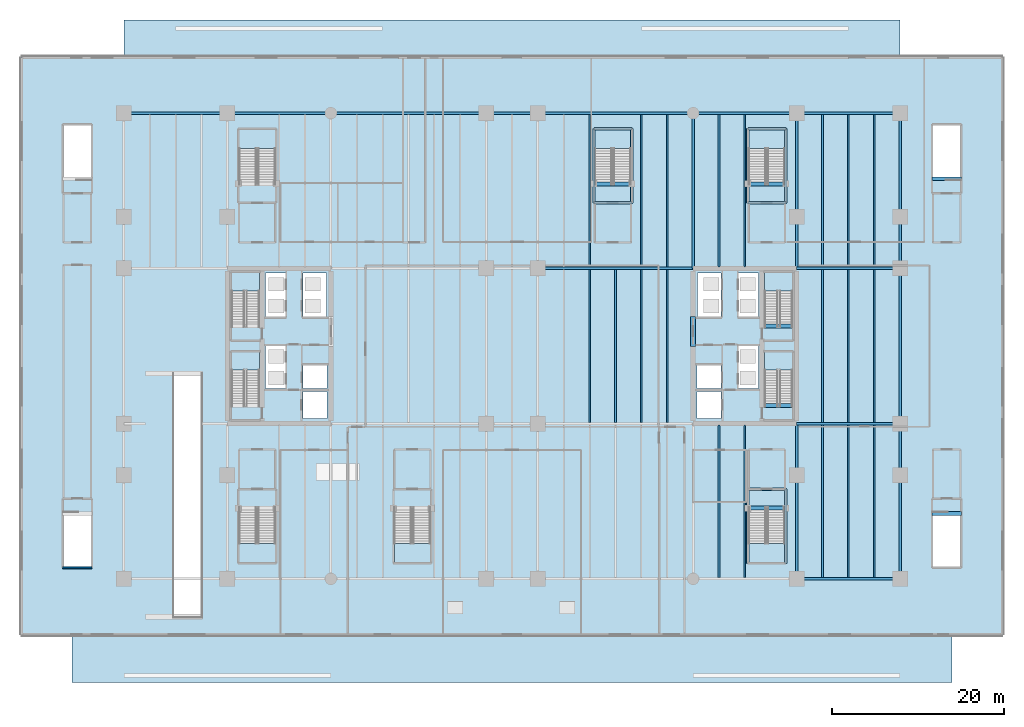
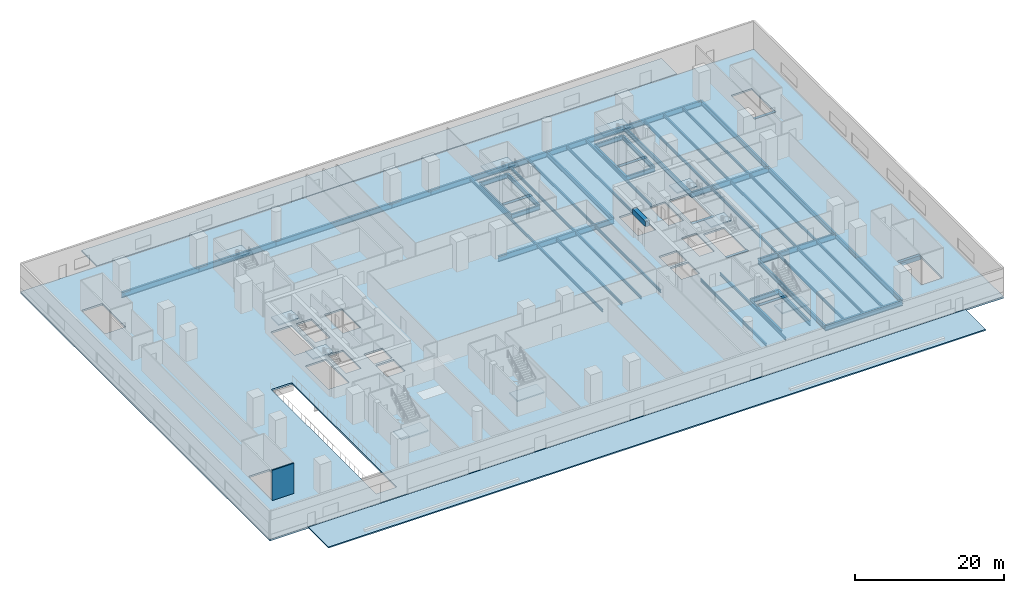
# One storey, part 2 of 25: 56 beams, 13 slabs, 1 wall, 10 elements without a shape of their own.
"""IFC4 building model written with IfcOpenShell, lengths in metres."""

from ifc_helpers import new_model, si_unit, direction, frame, frame_2d, origin, origin_2d, place, context, subcontext, project, spatial, polyline, rectangle, i_section, outline, extrude, material, layer, layer_set, material_profile, profile_set, type_object, element, aggregate, save


model = new_model("IFC4")

# Units and contexts
model_context = context("Model", 3, precision=1e-05, world=origin(), true_north=direction((0.0, 1.0)))
body_context = subcontext(model_context, "Body", "Model", "MODEL_VIEW")
ifc_project = project(units=[si_unit("LENGTHUNIT", "METRE"), si_unit("AREAUNIT", "SQUARE_METRE"), si_unit("VOLUMEUNIT", "CUBIC_METRE"), si_unit("PLANEANGLEUNIT", "RADIAN"), si_unit("MASSUNIT", "GRAM", prefix="KILO")], contexts=[model_context])

# Site, building, storey
site_placement = place(None, origin())
site = spatial("IfcSite", under=ifc_project, at=site_placement, CompositionType="ELEMENT")
building_placement = place(site_placement, origin())
building = spatial("IfcBuilding", under=site, at=building_placement, Name="Tanjung Sevakor Pilgrim Tower", CompositionType="ELEMENT")
storey_placement = place(building_placement, origin())
storey = spatial("IfcBuildingStorey", under=building, at=storey_placement, Name="L01", CompositionType="ELEMENT", Elevation=0.0)

# Beams
ifc_material_1 = material(Name="Steel S355J2", Category="steel")
ifc_material_profile_1 = material_profile(ifc_material_1, i_section(OverallWidth=0.26806640625, OverallDepth=0.769775390625, WebThickness=0.015625, FlangeThickness=0.025390625, FilletRadius=0.0166015625, at=origin_2d()))
ifc_profile_set_1 = profile_set([ifc_material_profile_1], Name="Steel S355J2")
beam_type_1 = type_object("IfcBeamType", Name="BM-B-G1-UB_762x267x197", PredefinedType="BEAM", material=ifc_profile_set_1)
for number, where, z_axis, x_axis, name in (
    (1, (78.0, 42.60009765625, -0.664794921875), (0.0, 1.0, 0.0), (-1.0, 0.0, 0.0), "L01 Podium Girder NS X78-3"),
    (2, (90.0, 6.60009765625, -0.664794921875), (0.0, 1.0, 0.0), (-1.0, 0.0, 0.0), "L01 Podium Girder NS X90-2"),
    (3, (90.0, 42.60009765625, -0.664794921875), (0.0, 1.0, 0.0), (-1.0, 0.0, 0.0), "L01 Podium Girder NS X90-3"),
    (4, (102.0, 6.60009765625, -0.664794921875), (0.0, 1.0, 0.0), (-1.0, 0.0, 0.0), "L01 Podium Girder NS X102-2"),
    (5, (102.0, 24.60009765625, -0.664794921875), (0.0, 1.0, 0.0), (-1.0, 0.0, 0.0), "L01 Podium Girder NS X102-3"),
    (6, (102.0, 42.60009765625, -0.664794921875), (0.0, 1.0, 0.0), (-1.0, 0.0, 0.0), "L01 Podium Girder NS X102-4"),
):
    element("IfcBeam", number, at=place(storey_placement, frame(where, z_axis=z_axis, x_axis=x_axis)), inside=storey, type_object=beam_type_1, Name=name, PredefinedType="BEAM", context=body_context, shape_type="SweptSolid", body=[
        extrude(i_section(OverallWidth=0.26806640625, OverallDepth=0.769775390625, WebThickness=0.015625, FlangeThickness=0.025390625, FilletRadius=0.0166015625, at=origin_2d()), origin(), (0.0, 0.0, 1.0), 18.0),
    ])
ifc_material_2 = material(Name="Steel S355J2", Category="steel")
ifc_material_profile_2 = material_profile(ifc_material_2, i_section(OverallWidth=0.19287109375, OverallDepth=0.46728515625, WebThickness=0.011474609375, FlangeThickness=0.01953125, FilletRadius=0.01025390625, at=origin_2d()))
ifc_profile_set_2 = profile_set([ifc_material_profile_2], Name="Steel S355J2")
beam_type_2 = type_object("IfcBeamType", Name="BM-B-J1-UB_457x191x98", PredefinedType="JOIST", material=ifc_profile_set_2)
for number, where, z_axis, x_axis, name in (
    (7, (66.0, 24.752685546875, -0.513671875), (0.0, 1.0, 0.0), (-1.0, 0.0, 0.0), "L01 Secondary Joist 029"),
    (8, (66.0, 42.752685546875, -0.513671875), (0.0, 1.0, 0.0), (-1.0, 0.0, 0.0), "L01 Secondary Joist 030"),
    (9, (69.0, 24.752685546875, -0.513671875), (0.0, 1.0, 0.0), (-1.0, 0.0, 0.0), "L01 Secondary Joist 032"),
    (10, (72.0, 24.752685546875, -0.513671875), (0.0, 1.0, 0.0), (-1.0, 0.0, 0.0), "L01 Secondary Joist 034"),
    (11, (72.0, 42.752685546875, -0.513671875), (0.0, 1.0, 0.0), (-1.0, 0.0, 0.0), "L01 Secondary Joist 035"),
    (12, (75.0, 24.752685546875, -0.513671875), (0.0, 1.0, 0.0), (-1.0, 0.0, 0.0), "L01 Secondary Joist 037"),
    (13, (75.0, 42.752685546875, -0.513671875), (0.0, 1.0, 0.0), (-1.0, 0.0, 0.0), "L01 Secondary Joist 038"),
    (14, (81.0, 6.752685546875, -0.513671875), (0.0, 1.0, 0.0), (-1.0, 0.0, 0.0), "L01 Secondary Joist 039"),
    (15, (81.0, 42.752685546875, -0.513671875), (0.0, 1.0, 0.0), (-1.0, 0.0, 0.0), "L01 Secondary Joist 040"),
    (16, (84.0, 6.752685546875, -0.513671875), (0.0, 1.0, 0.0), (-1.0, 0.0, 0.0), "L01 Secondary Joist 041"),
    (17, (84.0, 42.752685546875, -0.513671875), (0.0, 1.0, 0.0), (-1.0, 0.0, 0.0), "L01 Secondary Joist 042"),
    (18, (93.0, 6.752685546875, -0.513671875), (0.0, 1.0, 0.0), (-1.0, 0.0, 0.0), "L01 Secondary Joist 043"),
    (19, (93.0, 24.752685546875, -0.513671875), (0.0, 1.0, 0.0), (-1.0, 0.0, 0.0), "L01 Secondary Joist 044"),
    (20, (93.0, 42.752685546875, -0.513671875), (0.0, 1.0, 0.0), (-1.0, 0.0, 0.0), "L01 Secondary Joist 045"),
    (21, (96.0, 6.752685546875, -0.513671875), (0.0, 1.0, 0.0), (-1.0, 0.0, 0.0), "L01 Secondary Joist 046"),
    (22, (96.0, 24.752685546875, -0.513671875), (0.0, 1.0, 0.0), (-1.0, 0.0, 0.0), "L01 Secondary Joist 047"),
    (23, (96.0, 42.752685546875, -0.513671875), (0.0, 1.0, 0.0), (-1.0, 0.0, 0.0), "L01 Secondary Joist 048"),
    (24, (99.0, 6.752685546875, -0.513671875), (0.0, 1.0, 0.0), (-1.0, 0.0, 0.0), "L01 Secondary Joist 049"),
    (25, (99.0, 24.752685546875, -0.513671875), (0.0, 1.0, 0.0), (-1.0, 0.0, 0.0), "L01 Secondary Joist 050"),
    (26, (99.0, 42.752685546875, -0.513671875), (0.0, 1.0, 0.0), (-1.0, 0.0, 0.0), "L01 Secondary Joist 051"),
):
    element("IfcBeam", number, at=place(storey_placement, frame(where, z_axis=z_axis, x_axis=x_axis)), inside=storey, type_object=beam_type_2, Name=name, PredefinedType="JOIST", context=body_context, shape_type="SweptSolid", body=[
        extrude(i_section(OverallWidth=0.19287109375, OverallDepth=0.46728515625, WebThickness=0.011474609375, FlangeThickness=0.01953125, FilletRadius=0.01025390625, at=origin_2d()), origin(), (0.0, 0.0, 1.0), 17.694580078125),
    ])
ifc_material_3 = material(Name="Concrete C60/75", Category="concrete")
ifc_material_profile_3 = material_profile(ifc_material_3, rectangle(XDim=0.60009765625, YDim=0.89990234375, at=origin_2d()))
ifc_profile_set_3 = profile_set([ifc_material_profile_3], Name="Concrete C60/75")
beam_type_3 = type_object("IfcBeamType", Name="BM-B-LN1-RC-BM_600x900", PredefinedType="LINTEL", material=ifc_profile_set_3)
beam_1_placement = place(storey_placement, frame((78.0, 33.550048828125, 4.219970703125), z_axis=(0.0, 1.0, 0.0), x_axis=(-1.0, 0.0, 0.0)))
element("IfcBeam", 27, at=beam_1_placement, inside=storey, type_object=beam_type_3, Name="L01 E Core Coupling Lintel", PredefinedType="LINTEL", context=body_context, shape_type="SweptSolid", body=[
    extrude(rectangle(XDim=0.60009765625, YDim=0.89990234375, at=origin_2d()), origin(), (0.0, 0.0, 1.0), 3.5),
])
ifc_material_4 = material(Name="Concrete C60/75", Category="concrete")
ifc_material_profile_4 = material_profile(ifc_material_4, rectangle(XDim=0.449951171875, YDim=0.699951171875, at=origin_2d()))
ifc_profile_set_4 = profile_set([ifc_material_profile_4], Name="Concrete C60/75")
beam_type_4 = type_object("IfcBeamType", Name="BM-B-LN3-RC-BM_450x700", PredefinedType="LINTEL", material=ifc_profile_set_4)
for number, where, z_axis, x_axis, name in (
    (28, (86.199951171875, 26.699951171875, -0.35009765625), (1.0, 0.0, 0.0), (0.0, 1.0, 0.0), "L01 TS-E1 Stair Threshold Beam"),
    (29, (86.199951171875, 35.89990234375, -0.35009765625), (1.0, 0.0, 0.0), (0.0, 1.0, 0.0), "L01 TS-E2 Stair Threshold Beam"),
):
    element("IfcBeam", number, at=place(storey_placement, frame(where, z_axis=z_axis, x_axis=x_axis)), inside=storey, type_object=beam_type_4, Name=name, PredefinedType="LINTEL", context=body_context, shape_type="SweptSolid", body=[
        extrude(rectangle(XDim=0.449951171875, YDim=0.699951171875, at=origin_2d()), origin(), (0.0, 0.0, 1.0), 3.400146484375),
    ])
for number, where, z_axis, x_axis, name in (
    (30, (66.5, 52.39990234375, -0.35009765625), (1.0, 0.0, 0.0), (0.0, 1.0, 0.0), "L01 PS-4 Stair Threshold Beam"),
    (31, (84.35009765625, 14.800048828125, -0.35009765625), (1.0, 0.0, 0.0), (0.0, 1.0, 0.0), "L01 PS-5 Stair Threshold Beam"),
    (32, (84.35009765625, 52.39990234375, -0.35009765625), (1.0, 0.0, 0.0), (0.0, 1.0, 0.0), "L01 PS-6 Stair Threshold Beam"),
):
    element("IfcBeam", number, at=place(storey_placement, frame(where, z_axis=z_axis, x_axis=x_axis)), inside=storey, type_object=beam_type_4, Name=name, PredefinedType="LINTEL", context=body_context, shape_type="SweptSolid", body=[
        extrude(rectangle(XDim=0.449951171875, YDim=0.699951171875, at=origin_2d()), origin(), (0.0, 0.0, 1.0), 4.39990234375),
    ])
for number, where, z_axis, x_axis, name in (
    (33, (105.699951171875, 14.199951171875, -0.35009765625), (1.0, 0.0, 0.0), (0.0, 1.0, 0.0), "L01 BS-3 Stair Threshold Beam"),
    (34, (105.699951171875, 53.0, -0.35009765625), (1.0, 0.0, 0.0), (0.0, 1.0, 0.0), "L01 BS-4 Stair Threshold Beam"),
):
    element("IfcBeam", number, at=place(storey_placement, frame(where, z_axis=z_axis, x_axis=x_axis)), inside=storey, type_object=beam_type_4, Name=name, PredefinedType="LINTEL", context=body_context, shape_type="SweptSolid", body=[
        extrude(rectangle(XDim=0.449951171875, YDim=0.699951171875, at=origin_2d()), origin(), (0.0, 0.0, 1.0), 3.400146484375),
    ])
ifc_material_5 = material(Name="Steel S355J2", Category="steel")
ifc_material_profile_5 = material_profile(ifc_material_5, i_section(OverallWidth=0.305419921875, OverallDepth=0.91845703125, WebThickness=0.017333984375, FlangeThickness=0.02783203125, FilletRadius=0.01904296875, at=origin_2d()))
ifc_profile_set_5 = profile_set([ifc_material_profile_5], Name="Steel S355J2")
beam_type_5 = type_object("IfcBeamType", Name="BM-B-POD2-UB_914x305x253", PredefinedType="BEAM", material=ifc_profile_set_5)
for number, where, z_axis, x_axis, name in (
    (35, (90.0, 6.60009765625, -0.7392578125), (1.0, 0.0, 0.0), (0.0, 1.0, 0.0), "L01 Podium Girder EW Y6.6-8"),
    (36, (90.0, 24.60009765625, -0.7392578125), (1.0, 0.0, 0.0), (0.0, 1.0, 0.0), "L01 Podium Girder EW Y24.6-7"),
):
    element("IfcBeam", number, at=place(storey_placement, frame(where, z_axis=z_axis, x_axis=x_axis)), inside=storey, type_object=beam_type_5, Name=name, PredefinedType="BEAM", context=body_context, shape_type="SweptSolid", body=[
        extrude(i_section(OverallWidth=0.305419921875, OverallDepth=0.91845703125, WebThickness=0.017333984375, FlangeThickness=0.02783203125, FilletRadius=0.01904296875, at=origin_2d()), origin(), (0.0, 0.0, 1.0), 12.0),
    ])
beam_2_placement = place(storey_placement, frame((60.0, 42.60009765625, -0.7392578125), z_axis=(1.0, 0.0, 0.0), x_axis=(0.0, 1.0, 0.0)))
element("IfcBeam", 37, at=beam_2_placement, inside=storey, type_object=beam_type_5, Name="L01 Podium Girder EW Y42.6-5", PredefinedType="BEAM", context=body_context, shape_type="SweptSolid", body=[
    extrude(i_section(OverallWidth=0.305419921875, OverallDepth=0.91845703125, WebThickness=0.017333984375, FlangeThickness=0.02783203125, FilletRadius=0.01904296875, at=origin_2d()), origin(), (0.0, 0.0, 1.0), 18.0),
])
for number, where, z_axis, x_axis, name in (
    (38, (90.0, 42.60009765625, -0.7392578125), (1.0, 0.0, 0.0), (0.0, 1.0, 0.0), "L01 Podium Girder EW Y42.6-6"),
    (39, (12.0, 60.60009765625, -0.7392578125), (1.0, 0.0, 0.0), (0.0, 1.0, 0.0), "L01 Podium Girder EW Y60.6-2"),
    (40, (24.0, 60.60009765625, -0.7392578125), (1.0, 0.0, 0.0), (0.0, 1.0, 0.0), "L01 Podium Girder EW Y60.6-3"),
):
    element("IfcBeam", number, at=place(storey_placement, frame(where, z_axis=z_axis, x_axis=x_axis)), inside=storey, type_object=beam_type_5, Name=name, PredefinedType="BEAM", context=body_context, shape_type="SweptSolid", body=[
        extrude(i_section(OverallWidth=0.305419921875, OverallDepth=0.91845703125, WebThickness=0.017333984375, FlangeThickness=0.02783203125, FilletRadius=0.01904296875, at=origin_2d()), origin(), (0.0, 0.0, 1.0), 12.0),
    ])
beam_3_placement = place(storey_placement, frame((36.0, 60.60009765625, -0.7392578125), z_axis=(1.0, 0.0, 0.0), x_axis=(0.0, 1.0, 0.0)))
element("IfcBeam", 41, at=beam_3_placement, inside=storey, type_object=beam_type_5, Name="L01 Podium Girder EW Y60.6-4", PredefinedType="BEAM", context=body_context, shape_type="SweptSolid", body=[
    extrude(i_section(OverallWidth=0.305419921875, OverallDepth=0.91845703125, WebThickness=0.017333984375, FlangeThickness=0.02783203125, FilletRadius=0.01904296875, at=origin_2d()), origin(), (0.0, 0.0, 1.0), 18.0),
])
beam_4_placement = place(storey_placement, frame((54.0, 60.60009765625, -0.7392578125), z_axis=(1.0, 0.0, 0.0), x_axis=(0.0, 1.0, 0.0)))
element("IfcBeam", 42, at=beam_4_placement, inside=storey, type_object=beam_type_5, Name="L01 Podium Girder EW Y60.6-5", PredefinedType="BEAM", context=body_context, shape_type="SweptSolid", body=[
    extrude(i_section(OverallWidth=0.305419921875, OverallDepth=0.91845703125, WebThickness=0.017333984375, FlangeThickness=0.02783203125, FilletRadius=0.01904296875, at=origin_2d()), origin(), (0.0, 0.0, 1.0), 6.0),
])
beam_5_placement = place(storey_placement, frame((60.0, 60.60009765625, -0.7392578125), z_axis=(1.0, 0.0, 0.0), x_axis=(0.0, 1.0, 0.0)))
element("IfcBeam", 43, at=beam_5_placement, inside=storey, type_object=beam_type_5, Name="L01 Podium Girder EW Y60.6-6", PredefinedType="BEAM", context=body_context, shape_type="SweptSolid", body=[
    extrude(i_section(OverallWidth=0.305419921875, OverallDepth=0.91845703125, WebThickness=0.017333984375, FlangeThickness=0.02783203125, FilletRadius=0.01904296875, at=origin_2d()), origin(), (0.0, 0.0, 1.0), 18.0),
])
for number, where, z_axis, x_axis, name in (
    (44, (78.0, 60.60009765625, -0.7392578125), (1.0, 0.0, 0.0), (0.0, 1.0, 0.0), "L01 Podium Girder EW Y60.6-7"),
    (45, (90.0, 60.60009765625, -0.7392578125), (1.0, 0.0, 0.0), (0.0, 1.0, 0.0), "L01 Podium Girder EW Y60.6-8"),
):
    element("IfcBeam", number, at=place(storey_placement, frame(where, z_axis=z_axis, x_axis=x_axis)), inside=storey, type_object=beam_type_5, Name=name, PredefinedType="BEAM", context=body_context, shape_type="SweptSolid", body=[
        extrude(i_section(OverallWidth=0.305419921875, OverallDepth=0.91845703125, WebThickness=0.017333984375, FlangeThickness=0.02783203125, FilletRadius=0.01904296875, at=origin_2d()), origin(), (0.0, 0.0, 1.0), 12.0),
    ])
ifc_material_6 = material(Name="Steel S355J2", Category="steel")
ifc_material_profile_6 = material_profile(ifc_material_6, i_section(OverallWidth=0.2666015625, OverallDepth=0.76220703125, WebThickness=0.014404296875, FlangeThickness=0.021484375, FilletRadius=0.0166015625, at=origin_2d()))
ifc_profile_set_6 = profile_set([ifc_material_profile_6], Name="Steel S355J2")
beam_type_6 = type_object("IfcBeamType", Name="BM-B-POD4-UB_762x267x173", PredefinedType="BEAM", material=ifc_profile_set_6)
beam_6_placement = place(storey_placement, frame((66.5, 50.199951171875, -0.6611328125), z_axis=(1.0, 0.0, 0.0), x_axis=(0.0, 1.0, 0.0)))
element("IfcBeam", 46, at=beam_6_placement, inside=storey, type_object=beam_type_6, Name="L01 PS-4 Shaft Base Girder 1", PredefinedType="BEAM", context=body_context, shape_type="SweptSolid", body=[
    extrude(i_section(OverallWidth=0.2666015625, OverallDepth=0.76220703125, WebThickness=0.014404296875, FlangeThickness=0.021484375, FilletRadius=0.0166015625, at=origin_2d()), origin(), (0.0, 0.0, 1.0), 4.39990234375),
])
beam_7_placement = place(storey_placement, frame((70.89990234375, 50.199951171875, -0.6611328125), z_axis=(0.0, 1.0, 0.0), x_axis=(-1.0, 0.0, 0.0)))
element("IfcBeam", 47, at=beam_7_placement, inside=storey, type_object=beam_type_6, Name="L01 PS-4 Shaft Base Girder 2", PredefinedType="BEAM", context=body_context, shape_type="SweptSolid", body=[
    extrude(i_section(OverallWidth=0.2666015625, OverallDepth=0.76220703125, WebThickness=0.014404296875, FlangeThickness=0.021484375, FilletRadius=0.0166015625, at=origin_2d()), origin(), (0.0, 0.0, 1.0), 8.60009765625),
])
beam_8_placement = place(storey_placement, frame((70.89990234375, 58.800048828125, -0.6611328125), z_axis=(-1.0, 0.0, 0.0), x_axis=(0.0, -1.0, 0.0)))
element("IfcBeam", 48, at=beam_8_placement, inside=storey, type_object=beam_type_6, Name="L01 PS-4 Shaft Base Girder 3", PredefinedType="BEAM", context=body_context, shape_type="SweptSolid", body=[
    extrude(i_section(OverallWidth=0.2666015625, OverallDepth=0.76220703125, WebThickness=0.014404296875, FlangeThickness=0.021484375, FilletRadius=0.0166015625, at=origin_2d()), origin(), (0.0, 0.0, 1.0), 4.39990234375),
])
for number, where, z_axis, x_axis, name in (
    (49, (66.5, 58.800048828125, -0.6611328125), (0.0, -1.0, 0.0), (1.0, 0.0, 0.0), "L01 PS-4 Shaft Base Girder 4"),
    (50, (88.75, 8.39990234375, -0.6611328125), (0.0, 1.0, 0.0), (-1.0, 0.0, 0.0), "L01 PS-5 Shaft Base Girder 2"),
):
    element("IfcBeam", number, at=place(storey_placement, frame(where, z_axis=z_axis, x_axis=x_axis)), inside=storey, type_object=beam_type_6, Name=name, PredefinedType="BEAM", context=body_context, shape_type="SweptSolid", body=[
        extrude(i_section(OverallWidth=0.2666015625, OverallDepth=0.76220703125, WebThickness=0.014404296875, FlangeThickness=0.021484375, FilletRadius=0.0166015625, at=origin_2d()), origin(), (0.0, 0.0, 1.0), 8.60009765625),
    ])
beam_9_placement = place(storey_placement, frame((88.75, 17.0, -0.6611328125), z_axis=(-1.0, 0.0, 0.0), x_axis=(0.0, -1.0, 0.0)))
element("IfcBeam", 51, at=beam_9_placement, inside=storey, type_object=beam_type_6, Name="L01 PS-5 Shaft Base Girder 3", PredefinedType="BEAM", context=body_context, shape_type="SweptSolid", body=[
    extrude(i_section(OverallWidth=0.2666015625, OverallDepth=0.76220703125, WebThickness=0.014404296875, FlangeThickness=0.021484375, FilletRadius=0.0166015625, at=origin_2d()), origin(), (0.0, 0.0, 1.0), 4.39990234375),
])
beam_10_placement = place(storey_placement, frame((84.35009765625, 17.0, -0.6611328125), z_axis=(0.0, -1.0, 0.0), x_axis=(1.0, 0.0, 0.0)))
element("IfcBeam", 52, at=beam_10_placement, inside=storey, type_object=beam_type_6, Name="L01 PS-5 Shaft Base Girder 4", PredefinedType="BEAM", context=body_context, shape_type="SweptSolid", body=[
    extrude(i_section(OverallWidth=0.2666015625, OverallDepth=0.76220703125, WebThickness=0.014404296875, FlangeThickness=0.021484375, FilletRadius=0.0166015625, at=origin_2d()), origin(), (0.0, 0.0, 1.0), 8.60009765625),
])
beam_11_placement = place(storey_placement, frame((84.35009765625, 50.199951171875, -0.6611328125), z_axis=(1.0, 0.0, 0.0), x_axis=(0.0, 1.0, 0.0)))
element("IfcBeam", 53, at=beam_11_placement, inside=storey, type_object=beam_type_6, Name="L01 PS-6 Shaft Base Girder 1", PredefinedType="BEAM", context=body_context, shape_type="SweptSolid", body=[
    extrude(i_section(OverallWidth=0.2666015625, OverallDepth=0.76220703125, WebThickness=0.014404296875, FlangeThickness=0.021484375, FilletRadius=0.0166015625, at=origin_2d()), origin(), (0.0, 0.0, 1.0), 4.39990234375),
])
beam_12_placement = place(storey_placement, frame((88.75, 50.199951171875, -0.6611328125), z_axis=(0.0, 1.0, 0.0), x_axis=(-1.0, 0.0, 0.0)))
element("IfcBeam", 54, at=beam_12_placement, inside=storey, type_object=beam_type_6, Name="L01 PS-6 Shaft Base Girder 2", PredefinedType="BEAM", context=body_context, shape_type="SweptSolid", body=[
    extrude(i_section(OverallWidth=0.2666015625, OverallDepth=0.76220703125, WebThickness=0.014404296875, FlangeThickness=0.021484375, FilletRadius=0.0166015625, at=origin_2d()), origin(), (0.0, 0.0, 1.0), 8.60009765625),
])
beam_13_placement = place(storey_placement, frame((88.75, 58.800048828125, -0.6611328125), z_axis=(-1.0, 0.0, 0.0), x_axis=(0.0, -1.0, 0.0)))
element("IfcBeam", 55, at=beam_13_placement, inside=storey, type_object=beam_type_6, Name="L01 PS-6 Shaft Base Girder 3", PredefinedType="BEAM", context=body_context, shape_type="SweptSolid", body=[
    extrude(i_section(OverallWidth=0.2666015625, OverallDepth=0.76220703125, WebThickness=0.014404296875, FlangeThickness=0.021484375, FilletRadius=0.0166015625, at=origin_2d()), origin(), (0.0, 0.0, 1.0), 4.39990234375),
])
beam_14_placement = place(storey_placement, frame((84.35009765625, 58.800048828125, -0.6611328125), z_axis=(0.0, -1.0, 0.0), x_axis=(1.0, 0.0, 0.0)))
element("IfcBeam", 56, at=beam_14_placement, inside=storey, type_object=beam_type_6, Name="L01 PS-6 Shaft Base Girder 4", PredefinedType="BEAM", context=body_context, shape_type="SweptSolid", body=[
    extrude(i_section(OverallWidth=0.2666015625, OverallDepth=0.76220703125, WebThickness=0.014404296875, FlangeThickness=0.021484375, FilletRadius=0.0166015625, at=origin_2d()), origin(), (0.0, 0.0, 1.0), 8.60009765625),
])

# Stair, slab
ifc_material_7 = material(Name="Concrete C40/50", Category="concrete")
stair_type_1 = type_object("IfcStairType", Name="STAIR-ST-CR150", PredefinedType="HALF_TURN_STAIR", material=ifc_material_7)
stair_1_placement = place(storey_placement, origin())
stair_1 = element("IfcStair", 57, at=stair_1_placement, inside=storey, type_object=stair_type_1, Name="L01 West Core Exit Stair 1", PredefinedType="HALF_TURN_STAIR")
ifc_material_8 = material(Name="Concrete C40/50", Category="concrete")
ifc_layer_1 = layer(ifc_material_8, 0.199951171875)
ifc_layer_set_1 = layer_set([ifc_layer_1], Name="SL-LAND-200")
slab_type_1 = type_object("IfcSlabType", Name="SL-LAND-200", PredefinedType="LANDING", material=ifc_layer_set_1)
slab_1_placement = place(storey_placement, frame((0.0, 0.0, 2.27490234375)))
slab_1 = element("IfcSlab", 58, at=slab_1_placement, type_object=slab_type_1, Name="TS-W1 landing 1", PredefinedType="LANDING", context=body_context, shape_type="SweptSolid", body=[
    extrude(outline(polyline([(27.699951171875, 30.800048828125), (27.699951171875, 32.89990234375), (24.5, 32.89990234375), (24.5, 30.800048828125), (27.699951171875, 30.800048828125)])), origin(), (0.0, 0.0, 1.0), 0.2001953125),
])
aggregate(stair_1, [slab_1])

stair_2_placement = place(storey_placement, origin())
stair_2 = element("IfcStair", 59, at=stair_2_placement, inside=storey, type_object=stair_type_1, Name="L01 West Core Exit Stair 2", PredefinedType="HALF_TURN_STAIR")
slab_2_placement = place(storey_placement, frame((0.0, 0.0, 2.27490234375)))
slab_2 = element("IfcSlab", 60, at=slab_2_placement, type_object=slab_type_1, Name="TS-W2 landing 1", PredefinedType="LANDING", context=body_context, shape_type="SweptSolid", body=[
    extrude(outline(polyline([(27.699951171875, 40.0), (27.699951171875, 42.10009765625), (24.5, 42.10009765625), (24.5, 40.0), (27.699951171875, 40.0)])), origin(), (0.0, 0.0, 1.0), 0.2001953125),
])
aggregate(stair_2, [slab_2])

stair_3_placement = place(storey_placement, origin())
stair_3 = element("IfcStair", 61, at=stair_3_placement, inside=storey, type_object=stair_type_1, Name="L01 East Core Exit Stair 1", PredefinedType="HALF_TURN_STAIR")
slab_3_placement = place(storey_placement, frame((0.0, 0.0, 2.27490234375)))
slab_3 = element("IfcSlab", 62, at=slab_3_placement, type_object=slab_type_1, Name="TS-E1 landing 1", PredefinedType="LANDING", context=body_context, shape_type="SweptSolid", body=[
    extrude(outline(polyline([(89.5, 30.800048828125), (89.5, 32.89990234375), (86.300048828125, 32.89990234375), (86.300048828125, 30.800048828125), (89.5, 30.800048828125)])), origin(), (0.0, 0.0, 1.0), 0.2001953125),
])
aggregate(stair_3, [slab_3])

stair_4_placement = place(storey_placement, origin())
stair_4 = element("IfcStair", 63, at=stair_4_placement, inside=storey, type_object=stair_type_1, Name="L01 East Core Exit Stair 2", PredefinedType="HALF_TURN_STAIR")
slab_4_placement = place(storey_placement, frame((0.0, 0.0, 2.27490234375)))
slab_4 = element("IfcSlab", 64, at=slab_4_placement, type_object=slab_type_1, Name="TS-E2 landing 1", PredefinedType="LANDING", context=body_context, shape_type="SweptSolid", body=[
    extrude(outline(polyline([(89.5, 40.0), (89.5, 42.10009765625), (86.300048828125, 42.10009765625), (86.300048828125, 40.0), (89.5, 40.0)])), origin(), (0.0, 0.0, 1.0), 0.2001953125),
])
aggregate(stair_4, [slab_4])

ifc_material_9 = material(Name="Concrete C40/50", Category="concrete")
stair_type_2 = type_object("IfcStairType", Name="STAIR-ST-PD200", PredefinedType="HALF_TURN_STAIR", material=ifc_material_9)
stair_5_placement = place(storey_placement, origin())
stair_5 = element("IfcStair", 65, at=stair_5_placement, inside=storey, type_object=stair_type_2, Name="L01 Podium South-West Assembly Stair", PredefinedType="HALF_TURN_STAIR")
slab_5_placement = place(storey_placement, frame((0.0, 0.0, 2.27490234375)))
slab_5 = element("IfcSlab", 66, at=slab_5_placement, type_object=slab_type_1, Name="PS-1 landing 1", PredefinedType="LANDING", context=body_context, shape_type="SweptSolid", body=[
    extrude(outline(polyline([(25.35009765625, 10.699951171875), (25.35009765625, 8.5), (29.550048828125, 8.5), (29.550048828125, 10.699951171875), (25.35009765625, 10.699951171875)])), origin(), (0.0, 0.0, 1.0), 0.2001953125),
])
aggregate(stair_5, [slab_5])

stair_6_placement = place(storey_placement, origin())
stair_6 = element("IfcStair", 67, at=stair_6_placement, inside=storey, type_object=stair_type_2, Name="L01 Podium North-West Assembly Stair", PredefinedType="HALF_TURN_STAIR")
slab_6_placement = place(storey_placement, frame((0.0, 0.0, 2.27490234375)))
slab_6 = element("IfcSlab", 68, at=slab_6_placement, type_object=slab_type_1, Name="PS-2 landing 1", PredefinedType="LANDING", context=body_context, shape_type="SweptSolid", body=[
    extrude(outline(polyline([(29.550048828125, 56.5), (29.550048828125, 58.699951171875), (25.35009765625, 58.699951171875), (25.35009765625, 56.5), (29.550048828125, 56.5)])), origin(), (0.0, 0.0, 1.0), 0.2001953125),
])
aggregate(stair_6, [slab_6])

stair_7_placement = place(storey_placement, origin())
stair_7 = element("IfcStair", 69, at=stair_7_placement, inside=storey, type_object=stair_type_2, Name="L01 Podium South-Central Assembly Stair", PredefinedType="HALF_TURN_STAIR")
slab_7_placement = place(storey_placement, frame((0.0, 0.0, 2.27490234375)))
slab_7 = element("IfcSlab", 70, at=slab_7_placement, type_object=slab_type_1, Name="PS-3 landing 1", PredefinedType="LANDING", context=body_context, shape_type="SweptSolid", body=[
    extrude(outline(polyline([(43.35009765625, 10.699951171875), (43.35009765625, 8.5), (47.550048828125, 8.5), (47.550048828125, 10.699951171875), (43.35009765625, 10.699951171875)])), origin(), (0.0, 0.0, 1.0), 0.2001953125),
])
aggregate(stair_7, [slab_7])

stair_8_placement = place(storey_placement, origin())
stair_8 = element("IfcStair", 71, at=stair_8_placement, inside=storey, type_object=stair_type_2, Name="L01 Podium North-Central Assembly Stair", PredefinedType="HALF_TURN_STAIR")
slab_8_placement = place(storey_placement, frame((0.0, 0.0, 2.27490234375)))
slab_8 = element("IfcSlab", 72, at=slab_8_placement, type_object=slab_type_1, Name="PS-4 landing 1", PredefinedType="LANDING", context=body_context, shape_type="SweptSolid", body=[
    extrude(outline(polyline([(70.800048828125, 56.5), (70.800048828125, 58.699951171875), (66.60009765625, 58.699951171875), (66.60009765625, 56.5), (70.800048828125, 56.5)])), origin(), (0.0, 0.0, 1.0), 0.2001953125),
])
aggregate(stair_8, [slab_8])

stair_9_placement = place(storey_placement, origin())
stair_9 = element("IfcStair", 73, at=stair_9_placement, inside=storey, type_object=stair_type_2, Name="L01 Podium South-East Assembly Stair", PredefinedType="HALF_TURN_STAIR")
slab_9_placement = place(storey_placement, frame((0.0, 0.0, 2.27490234375)))
slab_9 = element("IfcSlab", 74, at=slab_9_placement, type_object=slab_type_1, Name="PS-5 landing 1", PredefinedType="LANDING", context=body_context, shape_type="SweptSolid", body=[
    extrude(outline(polyline([(84.449951171875, 10.699951171875), (84.449951171875, 8.5), (88.64990234375, 8.5), (88.64990234375, 10.699951171875), (84.449951171875, 10.699951171875)])), origin(), (0.0, 0.0, 1.0), 0.2001953125),
])
aggregate(stair_9, [slab_9])

stair_10_placement = place(storey_placement, origin())
stair_10 = element("IfcStair", 75, at=stair_10_placement, inside=storey, type_object=stair_type_2, Name="L01 Podium North-East Assembly Stair", PredefinedType="HALF_TURN_STAIR")
slab_10_placement = place(storey_placement, frame((0.0, 0.0, 2.27490234375)))
slab_10 = element("IfcSlab", 76, at=slab_10_placement, type_object=slab_type_1, Name="PS-6 landing 1", PredefinedType="LANDING", context=body_context, shape_type="SweptSolid", body=[
    extrude(outline(polyline([(88.64990234375, 56.5), (88.64990234375, 58.699951171875), (84.449951171875, 58.699951171875), (84.449951171875, 56.5), (88.64990234375, 56.5)])), origin(), (0.0, 0.0, 1.0), 0.2001953125),
])
aggregate(stair_10, [slab_10])

# Slabs
ifc_material_10 = material(Name="Reconstructed Limestone Paving C40/50", Category="masonry")
ifc_layer_2 = layer(ifc_material_10, 0.199951171875)
ifc_layer_set_2 = layer_set([ifc_layer_2], Name="SL-PAV-200")
slab_type_2 = type_object("IfcSlabType", Name="SL-PAV-200", PredefinedType="USERDEFINED", material=ifc_layer_set_2)
slab_11_placement = place(storey_placement, frame((0.0, 0.0, -0.199951171875)))
element("IfcSlab", 77, at=slab_11_placement, inside=storey, type_object=slab_type_2, Name="L01 South Public Arrival Garden Plaza", ObjectType="PAVING", PredefinedType="USERDEFINED", context=body_context, shape_type="SweptSolid", body=[
    extrude(outline(polyline([(6.0, -5.39990234375), (108.0, -5.39990234375), (108.0, 0.0), (6.0, 0.0), (6.0, -5.39990234375)])), origin(), (0.0, 0.0, 1.0), 0.199951171875),
])
slab_12_placement = place(storey_placement, frame((0.0, 0.0, -0.199951171875)))
element("IfcSlab", 78, at=slab_12_placement, inside=storey, type_object=slab_type_2, Name="L01 North Public Garden Forecourt", ObjectType="PAVING", PredefinedType="USERDEFINED", context=body_context, shape_type="SweptSolid", body=[
    extrude(outline(polyline([(12.0, 67.199951171875), (102.0, 67.199951171875), (102.0, 71.39990234375), (12.0, 71.39990234375), (12.0, 67.199951171875)])), origin(), (0.0, 0.0, 1.0), 0.199951171875),
])
ifc_material_11 = material(Name="Concrete C40/50", Category="concrete")
ifc_layer_3 = layer(ifc_material_11, 0.280029296875)
ifc_layer_set_3 = layer_set([ifc_layer_3], Name="SL-POD-280")
slab_type_3 = type_object("IfcSlabType", Name="SL-POD-280", PredefinedType="FLOOR", material=ifc_layer_set_3)
slab_13_placement = place(storey_placement, frame((0.0, 0.0, -0.280029296875)))
element("IfcSlab", 79, at=slab_13_placement, inside=storey, type_object=slab_type_3, Name="L01 Floor Slab MAIN", PredefinedType="FLOOR", context=body_context, shape_type="SweptSolid", body=[
    extrude(outline(polyline([(0.080078125, 0.080078125), (113.919921875, 0.080078125), (113.919921875, 67.1201171875), (0.080078125, 67.1201171875), (0.080078125, 0.080078125)]), holes=[polyline([(27.699951171875, 26.60009765625), (27.699951171875, 32.89990234375), (24.5, 32.89990234375), (24.5, 26.60009765625), (27.699951171875, 26.60009765625)]), polyline([(27.699951171875, 35.800048828125), (27.699951171875, 42.10009765625), (24.5, 42.10009765625), (24.5, 35.800048828125), (27.699951171875, 35.800048828125)]), polyline([(89.5, 26.60009765625), (89.5, 32.89990234375), (86.300048828125, 32.89990234375), (86.300048828125, 26.60009765625), (89.5, 26.60009765625)]), polyline([(89.5, 35.800048828125), (89.5, 42.10009765625), (86.300048828125, 42.10009765625), (86.300048828125, 35.800048828125), (89.5, 35.800048828125)]), polyline([(5.0, 14.300048828125), (5.0, 8.0), (8.199951171875, 8.0), (8.199951171875, 14.300048828125), (5.0, 14.300048828125)]), polyline([(8.199951171875, 52.89990234375), (8.199951171875, 59.199951171875), (5.0, 59.199951171875), (5.0, 52.89990234375), (8.199951171875, 52.89990234375)]), polyline([(105.800048828125, 14.300048828125), (105.800048828125, 8.0), (109.0, 8.0), (109.0, 14.300048828125), (105.800048828125, 14.300048828125)]), polyline([(109.0, 52.89990234375), (109.0, 59.199951171875), (105.800048828125, 59.199951171875), (105.800048828125, 52.89990234375), (109.0, 52.89990234375)]), polyline([(32.75, 25.199951171875), (35.550048828125, 25.199951171875), (35.550048828125, 28.300048828125), (32.75, 28.300048828125), (32.75, 25.199951171875)]), polyline([(32.75, 28.699951171875), (35.550048828125, 28.699951171875), (35.550048828125, 31.35009765625), (32.75, 31.35009765625), (32.75, 28.699951171875)]), polyline([(28.39990234375, 28.699951171875), (30.75, 28.699951171875), (30.75, 33.60009765625), (28.39990234375, 33.60009765625), (28.39990234375, 28.699951171875)]), polyline([(28.39990234375, 37.0), (30.75, 37.0), (30.75, 42.050048828125), (28.39990234375, 42.050048828125), (28.39990234375, 37.0)]), polyline([(32.75, 37.0), (35.5, 37.0), (35.5, 42.050048828125), (32.75, 42.050048828125), (32.75, 37.0)]), polyline([(78.449951171875, 25.199951171875), (81.25, 25.199951171875), (81.25, 28.300048828125), (78.449951171875, 28.300048828125), (78.449951171875, 25.199951171875)]), polyline([(78.449951171875, 28.699951171875), (81.25, 28.699951171875), (81.25, 31.35009765625), (78.449951171875, 31.35009765625), (78.449951171875, 28.699951171875)]), polyline([(83.25, 28.699951171875), (85.60009765625, 28.699951171875), (85.60009765625, 33.60009765625), (83.25, 33.60009765625), (83.25, 28.699951171875)]), polyline([(83.25, 37.0), (85.60009765625, 37.0), (85.60009765625, 42.050048828125), (83.25, 42.050048828125), (83.25, 37.0)]), polyline([(78.5, 37.0), (81.25, 37.0), (81.25, 42.050048828125), (78.5, 42.050048828125), (78.5, 37.0)]), polyline([(17.800048828125, 2.199951171875), (21.0, 2.199951171875), (21.0, 30.39990234375), (17.800048828125, 30.39990234375), (17.800048828125, 2.199951171875)])]), origin(), (0.0, 0.0, 1.0), 0.280029296875),
])

# Wall
ifc_material_12 = material(Name="Concrete C40/50", Category="concrete")
ifc_layer_4 = layer(ifc_material_12, 0.199951171875)
ifc_layer_set_4 = layer_set([ifc_layer_4], Name="WT-FIRE-200")
wall_type = type_object("IfcWallType", Name="WT-FIRE-200", PredefinedType="SOLIDWALL", material=ifc_layer_set_4)
wall_placement = place(storey_placement, frame((4.89990234375, 7.89990234375, 0.0), z_axis=(0.0, 0.0, 1.0), x_axis=(1.0, 0.0, 0.0)))
element("IfcWall", 80, at=wall_placement, inside=storey, type_object=wall_type, Name="L01 BS-1 Shaft Wall 1", PredefinedType="SOLIDWALL", context=body_context, shape_type="SweptSolid", body=[
    extrude(rectangle(XDim=3.400146484375, YDim=0.199951171875, at=frame_2d((1.7001953125, 0.0))), origin(), (0.0, 0.0, 1.0), 4.949951171875),
])

save(model, "model.ifc")
